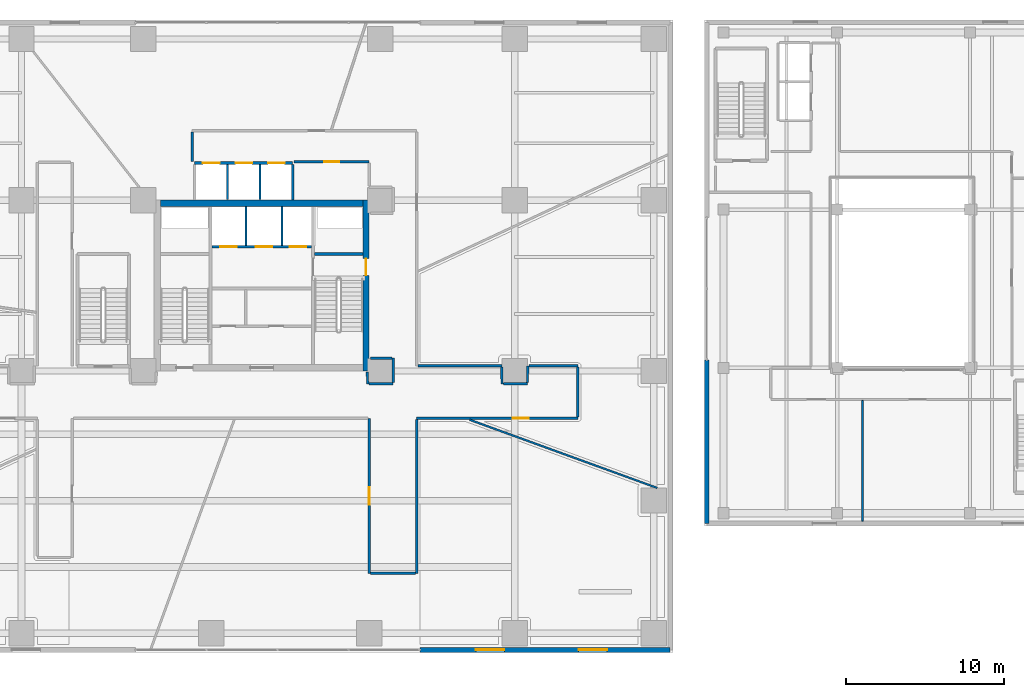
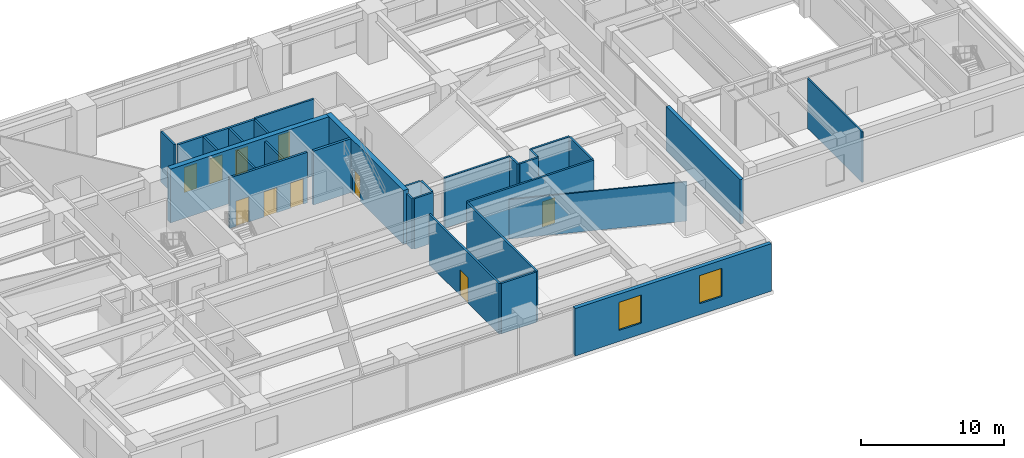
# One storey, part 18 of 25: 30 walls, 10 doors, 2 windows, 12 openings.
"""IFC4 building model written with IfcOpenShell, lengths in metres."""

from ifc_helpers import new_model, si_unit, direction, frame, frame_2d, origin, place, context, subcontext, project, spatial, rectangle, extrude, source, transform, mapped, material, layer, layer_set, type_object, type_shapes, element, fill, save


model = new_model("IFC4")

# Units and contexts
model_context = context("Model", 3, precision=1e-05, world=origin(), true_north=direction((0.0, 1.0)))
body_context = subcontext(model_context, "Body", "Model", "MODEL_VIEW")
ifc_project = project(units=[si_unit("LENGTHUNIT", "METRE"), si_unit("AREAUNIT", "SQUARE_METRE"), si_unit("VOLUMEUNIT", "CUBIC_METRE"), si_unit("PLANEANGLEUNIT", "RADIAN"), si_unit("MASSUNIT", "GRAM", prefix="KILO")], contexts=[model_context])

# Site, building, storey
site_placement = place(None, origin())
site = spatial("IfcSite", under=ifc_project, at=site_placement, CompositionType="ELEMENT")
building_placement = place(site_placement, origin())
building = spatial("IfcBuilding", under=site, at=building_placement, Name="Talar Marvaseh", CompositionType="ELEMENT")
storey_placement = place(building_placement, frame((0.0, 0.0, 5.199951171875)))
storey = spatial("IfcBuildingStorey", under=building, at=storey_placement, Name="L01", CompositionType="ELEMENT", Elevation=5.199951171875)

# Wall, openings, windows
ifc_material_1 = material(Name="Precast concrete C45/55", Category="concrete")
ifc_layer_1 = layer(ifc_material_1, 0.31005859375)
ifc_layer_set_1 = layer_set([ifc_layer_1], Name="Precast concrete C45/55")
wall_type_1 = type_object("IfcWallType", Name="Architectural Precast Limestone Podium Facade Wall 310", PredefinedType="SOLIDWALL", material=ifc_layer_set_1)
wall_1_placement = place(storey_placement, frame((51.840087890625, 8.159912109375, 0.0), z_axis=(0.0, 0.0, 1.0), x_axis=(-1.0, 0.0, 0.0)))
wall_1 = element("IfcWall", 1, at=wall_1_placement, inside=storey, type_object=wall_type_1, Name="L01 Podium South-East Facade Wall", PredefinedType="SOLIDWALL", context=body_context, shape_type="SweptSolid", body=[
    extrude(rectangle(XDim=15.840087890625, YDim=0.31005859375, at=frame_2d((7.919921875, 0.0))), origin(), (0.0, 0.0, 1.0), 4.050048828125),
])
opening_1_placement = place(wall_1_placement, frame((4.0, 0.0, 0.949951171875)))
opening_1 = element("IfcOpeningElement", 2, at=opening_1_placement, cuts=wall_1, Name="Opening WN-POD18", PredefinedType="OPENING", context=body_context, shape_type="SweptSolid", body=[
    extrude(rectangle(XDim=1.800048828125, YDim=2.39990234375, at=frame_2d((0.89990234375, 1.199951171875))), frame((0.0, 0.1650390625, 0.0), z_axis=(0.0, -1.0, 0.0), x_axis=(1.0, 0.0, 0.0)), (0.0, 0.0, 1.0), 0.330078125),
])
opening_2_placement = place(wall_1_placement, frame((10.5, 0.0, 0.949951171875)))
opening_2 = element("IfcOpeningElement", 3, at=opening_2_placement, cuts=wall_1, Name="Opening WN-POD18", PredefinedType="OPENING", context=body_context, shape_type="SweptSolid", body=[
    extrude(rectangle(XDim=1.800048828125, YDim=2.39990234375, at=frame_2d((0.89990234375, 1.199951171875))), frame((0.0, 0.1650390625, 0.0), z_axis=(0.0, -1.0, 0.0), x_axis=(1.0, 0.0, 0.0)), (0.0, 0.0, 1.0), 0.330078125),
])
ifc_material_2 = material(Name="Laminated Low-E Solar Glass", Category="glass")
window_type = type_object("IfcWindowType", Name="Podium Recessed Punched Solar Window 1800x2400", PartitioningType="SINGLE_PANEL", PredefinedType="WINDOW", material=ifc_material_2)
shared_shape_1 = source(origin(), body_context, "Body", "SweptSolid", [
    extrude(rectangle(XDim=1.800048828125, YDim=2.39990234375, at=frame_2d((0.89990234375, 1.199951171875))), frame((0.0, 0.030029296875, 0.0), z_axis=(0.0, -1.0, 0.0), x_axis=(1.0, 0.0, 0.0)), (0.0, 0.0, 1.0), 0.06005859375),
])
type_shapes(window_type, [shared_shape_1])
window_1_placement = place(opening_1_placement, origin())
window_1 = element("IfcWindow", 4, at=window_1_placement, inside=storey, type_object=window_type, Name="L01 Podium Solar Window", OverallHeight=2.39990234375, OverallWidth=1.800048828125, PartitioningType="SINGLE_PANEL", PredefinedType="WINDOW", context=body_context, shape_type="MappedRepresentation", body=[
    mapped(shared_shape_1, transform((0.0, 0.0, 0.0), x_axis=(1.0, 0.0, 0.0), y_axis=(0.0, 1.0, 0.0), z_axis=(0.0, 0.0, 1.0), scale=1.0)),
])
fill(opening_1, window_1)
window_2_placement = place(opening_2_placement, origin())
window_2 = element("IfcWindow", 5, at=window_2_placement, inside=storey, type_object=window_type, Name="L01 Podium Solar Window", OverallHeight=2.39990234375, OverallWidth=1.800048828125, PartitioningType="SINGLE_PANEL", PredefinedType="WINDOW", context=body_context, shape_type="MappedRepresentation", body=[
    mapped(shared_shape_1, transform((0.0, 0.0, 0.0), x_axis=(1.0, 0.0, 0.0), y_axis=(0.0, 1.0, 0.0), z_axis=(0.0, 0.0, 1.0), scale=1.0)),
])
fill(opening_2, window_2)

# Wall, opening, door
ifc_material_3 = material(Name="Gypsum Board Partition Assembly")
ifc_layer_2 = layer(ifc_material_3, 0.155029296875)
ifc_layer_set_2 = layer_set([ifc_layer_2], Name="Gypsum Board Partition Assembly")
wall_type_2 = type_object("IfcWallType", Name="Corridor Fire-Rated Acoustic Partition 155", PredefinedType="PARTITIONING", material=ifc_layer_set_2)
wall_2_placement = place(storey_placement, frame((32.800048828125, 13.0, 0.0), z_axis=(0.0, 0.0, 1.0), x_axis=(0.0, 1.0, 0.0)))
wall_2 = element("IfcWall", 6, at=wall_2_placement, inside=storey, type_object=wall_type_2, Name="L01 Interior Partition Wall", PredefinedType="PARTITIONING", context=body_context, shape_type="SweptSolid", body=[
    extrude(rectangle(XDim=9.800048828125, YDim=0.155029296875, at=frame_2d((4.89990234375, 0.0))), origin(), (0.0, 0.0, 1.0), 4.300048828125),
])
opening_3_placement = place(wall_2_placement, frame((4.35009765625, 0.0, 0.0)))
opening_3 = element("IfcOpeningElement", 7, at=opening_3_placement, cuts=wall_2, Name="Opening DR-RM110", PredefinedType="OPENING", context=body_context, shape_type="SweptSolid", body=[
    extrude(rectangle(XDim=1.10009765625, YDim=2.199951171875, at=frame_2d((0.550048828125, 1.10009765625))), frame((0.0, 0.08740234375, 0.0), z_axis=(0.0, -1.0, 0.0), x_axis=(1.0, 0.0, 0.0)), (0.0, 0.0, 1.0), 0.175048828125),
])
ifc_material_4 = material(Name="Acoustic Engineered Oak Timber", Category="wood")
door_type_1 = type_object("IfcDoorType", Name="Assembly and Reading Hall Door 1100x2200", OperationType="NOTDEFINED", PredefinedType="DOOR", material=ifc_material_4)
shared_shape_2 = source(origin(), body_context, "Body", "SweptSolid", [
    extrude(rectangle(XDim=1.10009765625, YDim=2.199951171875, at=frame_2d((0.550048828125, 1.10009765625))), frame((0.0, 0.02490234375, 0.0), z_axis=(0.0, -1.0, 0.0), x_axis=(1.0, 0.0, 0.0)), (0.0, 0.0, 1.0), 0.050048828125),
])
type_shapes(door_type_1, [shared_shape_2])
door_1_placement = place(opening_3_placement, origin())
door_1 = element("IfcDoor", 8, at=door_1_placement, inside=storey, type_object=door_type_1, Name="L01 Temporary Exhibition Gallery Door", OperationType="SINGLE_SWING_RIGHT", OverallHeight=2.199951171875, OverallWidth=1.10009765625, PredefinedType="DOOR", context=body_context, shape_type="MappedRepresentation", body=[
    mapped(shared_shape_2, transform((0.0, 0.0, 0.0), x_axis=(1.0, 0.0, 0.0), y_axis=(0.0, 1.0, 0.0), z_axis=(0.0, 0.0, 1.0), scale=1.0)),
])
fill(opening_3, door_1)

wall_3_placement = place(storey_placement, frame((32.800048828125, 39.0400390625, 0.0), z_axis=(0.0, 0.0, 1.0), x_axis=(-1.0, 0.0, 0.0)))
wall_3 = element("IfcWall", 9, at=wall_3_placement, inside=storey, type_object=wall_type_2, Name="L01 Interior Partition Wall", PredefinedType="PARTITIONING", context=body_context, shape_type="SweptSolid", body=[
    extrude(rectangle(XDim=4.77001953125, YDim=0.155029296875, at=frame_2d((2.385009765625, 0.0))), origin(), (0.0, 0.0, 1.0), 4.300048828125),
])
opening_4_placement = place(wall_3_placement, frame((1.909912109375, 0.0, 0.0)))
opening_4 = element("IfcOpeningElement", 10, at=opening_4_placement, cuts=wall_3, Name="Opening DR-WC095", PredefinedType="OPENING", context=body_context, shape_type="SweptSolid", body=[
    extrude(rectangle(XDim=0.949951171875, YDim=2.14990234375, at=frame_2d((0.47509765625, 1.074951171875))), frame((0.0, 0.08740234375, 0.0), z_axis=(0.0, -1.0, 0.0), x_axis=(1.0, 0.0, 0.0)), (0.0, 0.0, 1.0), 0.175048828125),
])
door_type_2 = type_object("IfcDoorType", Name="Washroom and Service Room Door 950x2150", OperationType="NOTDEFINED", PredefinedType="DOOR", material=ifc_material_4)
shared_shape_3 = source(origin(), body_context, "Body", "SweptSolid", [
    extrude(rectangle(XDim=0.949951171875, YDim=2.14990234375, at=frame_2d((0.47509765625, 1.074951171875))), frame((0.0, 0.02490234375, 0.0), z_axis=(0.0, -1.0, 0.0), x_axis=(1.0, 0.0, 0.0)), (0.0, 0.0, 1.0), 0.050048828125),
])
type_shapes(door_type_2, [shared_shape_3])
door_2_placement = place(opening_4_placement, origin())
door_2 = element("IfcDoor", 11, at=door_2_placement, inside=storey, type_object=door_type_2, Name="L01 WC Public Washrooms Door", OperationType="SINGLE_SWING_LEFT", OverallHeight=2.14990234375, OverallWidth=0.949951171875, PredefinedType="DOOR", context=body_context, shape_type="MappedRepresentation", body=[
    mapped(shared_shape_3, transform((0.0, 0.0, 0.0), x_axis=(1.0, 0.0, 0.0), y_axis=(0.0, 1.0, 0.0), z_axis=(0.0, 0.0, 1.0), scale=1.0)),
])
fill(opening_4, door_2)

wall_4_placement = place(storey_placement, frame((46.0, 22.800048828125, 0.0), z_axis=(0.0, 0.0, 1.0), x_axis=(-1.0, 0.0, 0.0)))
wall_4 = element("IfcWall", 12, at=wall_4_placement, inside=storey, type_object=wall_type_2, Name="L01 Interior Partition Wall", PredefinedType="PARTITIONING", context=body_context, shape_type="SweptSolid", body=[
    extrude(rectangle(XDim=10.199951171875, YDim=0.155029296875, at=frame_2d((5.10009765625, 0.0))), origin(), (0.0, 0.0, 1.0), 4.300048828125),
])
opening_5_placement = place(wall_4_placement, frame((3.11328125, 0.0, 0.0)))
opening_5 = element("IfcOpeningElement", 13, at=opening_5_placement, cuts=wall_4, Name="Opening DR-RM100", PredefinedType="OPENING", context=body_context, shape_type="SweptSolid", body=[
    extrude(rectangle(XDim=1.0, YDim=2.14990234375, at=frame_2d((0.5, 1.074951171875))), frame((0.0, 0.08740234375, 0.0), z_axis=(0.0, -1.0, 0.0), x_axis=(1.0, 0.0, 0.0)), (0.0, 0.0, 1.0), 0.175048828125),
])
door_type_3 = type_object("IfcDoorType", Name="Corridor Fire-Rated Gallery Door 1000x2150", OperationType="NOTDEFINED", PredefinedType="DOOR", material=ifc_material_4)
shared_shape_4 = source(origin(), body_context, "Body", "SweptSolid", [
    extrude(rectangle(XDim=1.0, YDim=2.14990234375, at=frame_2d((0.5, 1.074951171875))), frame((0.0, 0.02490234375, 0.0), z_axis=(0.0, -1.0, 0.0), x_axis=(1.0, 0.0, 0.0)), (0.0, 0.0, 1.0), 0.050048828125),
])
type_shapes(door_type_3, [shared_shape_4])
door_3_placement = place(opening_5_placement, origin())
door_3 = element("IfcDoor", 14, at=door_3_placement, inside=storey, type_object=door_type_3, Name="L01 Public Orientation Theatre Door", OperationType="SINGLE_SWING_LEFT", OverallHeight=2.14990234375, OverallWidth=1.0, PredefinedType="DOOR", context=body_context, shape_type="MappedRepresentation", body=[
    mapped(shared_shape_4, transform((0.0, 0.0, 0.0), x_axis=(1.0, 0.0, 0.0), y_axis=(0.0, 1.0, 0.0), z_axis=(0.0, 0.0, 1.0), scale=1.0)),
])
fill(opening_5, door_3)

# Walls
wall_5_placement = place(storey_placement, frame((32.68505859375, 25.72998046875, 0.0), z_axis=(0.0, 0.0, 1.0), x_axis=(0.010511902743, -0.999944748424, 0.0)))
element("IfcWall", 15, at=wall_5_placement, inside=storey, type_object=wall_type_2, Name="L01 Interior Partition Wall", PredefinedType="PARTITIONING", context=body_context, shape_type="SweptSolid", body=[
    extrude(rectangle(XDim=0.7431640625, YDim=0.155029296875, at=frame_2d((0.37158203125, 0.0))), origin(), (0.0, 0.0, 1.0), 4.300048828125),
])
wall_6_placement = place(storey_placement, frame((32.7763671875, 24.987548828125, 0.0), z_axis=(0.0, 0.0, 1.0), x_axis=(0.999967255963, 0.008092404007, 0.0)))
element("IfcWall", 16, at=wall_6_placement, inside=storey, type_object=wall_type_2, Name="L01 Interior Partition Wall", PredefinedType="PARTITIONING", context=body_context, shape_type="SweptSolid", body=[
    extrude(rectangle(XDim=1.53857421875, YDim=0.155029296875, at=frame_2d((0.769287109375, 0.0))), origin(), (0.0, 0.0, 1.0), 4.300048828125),
])
wall_7_placement = place(storey_placement, frame((34.314697265625, 25.08349609375, 0.0), z_axis=(0.0, 0.0, 1.0), x_axis=(-0.002717815702, 0.999996306732, 0.0)))
element("IfcWall", 17, at=wall_7_placement, inside=storey, type_object=wall_type_2, Name="L01 Interior Partition Wall", PredefinedType="PARTITIONING", context=body_context, shape_type="SweptSolid", body=[
    extrude(rectangle(XDim=1.527099609375, YDim=0.155029296875, at=frame_2d((0.763671875, 0.0))), origin(), (0.0, 0.0, 1.0), 4.300048828125),
])
wall_8_placement = place(storey_placement, frame((34.22705078125, 26.61083984375, 0.0), z_axis=(0.0, 0.0, 1.0), x_axis=(-0.999995856473, 0.002878721429, 0.0)))
element("IfcWall", 18, at=wall_8_placement, inside=storey, type_object=wall_type_2, Name="L01 Interior Partition Wall", PredefinedType="PARTITIONING", context=body_context, shape_type="SweptSolid", body=[
    extrude(rectangle(XDim=1.35693359375, YDim=0.155029296875, at=frame_2d((0.678466796875, 0.0))), origin(), (0.0, 0.0, 1.0), 4.300048828125),
])
wall_9_placement = place(storey_placement, frame((21.60009765625, 39.0400390625, 0.0), z_axis=(0.0, 0.0, 1.0), x_axis=(0.0, 1.0, 0.0)))
element("IfcWall", 19, at=wall_9_placement, inside=storey, type_object=wall_type_2, Name="L01 Interior Partition Wall", PredefinedType="PARTITIONING", context=body_context, shape_type="SweptSolid", body=[
    extrude(rectangle(XDim=1.87646484375, YDim=0.155029296875, at=frame_2d((0.938232421875, 0.0))), origin(), (0.0, 0.0, 1.0), 4.300048828125),
])
wall_10_placement = place(storey_placement, frame((35.883544921875, 26.1201171875, 0.0), z_axis=(0.0, 0.0, 1.0), x_axis=(1.0, 0.0, 0.0)))
element("IfcWall", 20, at=wall_10_placement, inside=storey, type_object=wall_type_2, Name="L01 Interior Partition Wall", PredefinedType="PARTITIONING", context=body_context, shape_type="SweptSolid", body=[
    extrude(rectangle(XDim=5.301513671875, YDim=0.155029296875, at=frame_2d((2.65087890625, 0.0))), origin(), (0.0, 0.0, 1.0), 4.300048828125),
])
wall_11_placement = place(storey_placement, frame((41.18603515625, 26.03662109375, 0.0), z_axis=(0.0, 0.0, 1.0), x_axis=(0.013233110982, -0.999912438553, 0.0)))
element("IfcWall", 21, at=wall_11_placement, inside=storey, type_object=wall_type_2, Name="L01 Interior Partition Wall", PredefinedType="PARTITIONING", context=body_context, shape_type="SweptSolid", body=[
    extrude(rectangle(XDim=1.051513671875, YDim=0.155029296875, at=frame_2d((0.52587890625, 0.0))), origin(), (0.0, 0.0, 1.0), 4.300048828125),
])
wall_12_placement = place(storey_placement, frame((41.283447265625, 24.985107421875, 0.0), z_axis=(0.0, 0.0, 1.0), x_axis=(0.999998718362, 0.001601022604, 0.0)))
element("IfcWall", 22, at=wall_12_placement, inside=storey, type_object=wall_type_2, Name="L01 Interior Partition Wall", PredefinedType="PARTITIONING", context=body_context, shape_type="SweptSolid", body=[
    extrude(rectangle(XDim=1.52490234375, YDim=0.155029296875, at=frame_2d((0.762451171875, 0.0))), origin(), (0.0, 0.0, 1.0), 4.300048828125),
])
wall_13_placement = place(storey_placement, frame((42.808837890625, 25.071044921875, 0.0), z_axis=(0.0, 0.0, 1.0), x_axis=(0.005817914102, 0.999983075795, 0.0)))
element("IfcWall", 23, at=wall_13_placement, inside=storey, type_object=wall_type_2, Name="L01 Interior Partition Wall", PredefinedType="PARTITIONING", context=body_context, shape_type="SweptSolid", body=[
    extrude(rectangle(XDim=1.049072265625, YDim=0.155029296875, at=frame_2d((0.5244140625, 0.0))), origin(), (0.0, 0.0, 1.0), 4.300048828125),
])
wall_14_placement = place(storey_placement, frame((42.8984375, 26.1201171875, 0.0), z_axis=(0.0, 0.0, 1.0), x_axis=(1.0, 0.0, 0.0)))
element("IfcWall", 24, at=wall_14_placement, inside=storey, type_object=wall_type_2, Name="L01 Interior Partition Wall", PredefinedType="PARTITIONING", context=body_context, shape_type="SweptSolid", body=[
    extrude(rectangle(XDim=3.1015625, YDim=0.155029296875, at=frame_2d((1.55078125, 0.0))), origin(), (0.0, 0.0, 1.0), 4.300048828125),
])
wall_15_placement = place(storey_placement, frame((46.0, 26.03662109375, 0.0), z_axis=(0.0, 0.0, 1.0), x_axis=(0.0, -1.0, 0.0)))
element("IfcWall", 25, at=wall_15_placement, inside=storey, type_object=wall_type_2, Name="L01 Interior Partition Wall", PredefinedType="PARTITIONING", context=body_context, shape_type="SweptSolid", body=[
    extrude(rectangle(XDim=3.153076171875, YDim=0.155029296875, at=frame_2d((1.57666015625, 0.0))), origin(), (0.0, 0.0, 1.0), 4.300048828125),
])
wall_16_placement = place(storey_placement, frame((35.800048828125, 22.716552734375, 0.0), z_axis=(0.0, 0.0, 1.0), x_axis=(0.0, -1.0, 0.0)))
element("IfcWall", 26, at=wall_16_placement, inside=storey, type_object=wall_type_2, Name="L01 Interior Partition Wall", PredefinedType="PARTITIONING", context=body_context, shape_type="SweptSolid", body=[
    extrude(rectangle(XDim=9.716552734375, YDim=0.155029296875, at=frame_2d((4.8583984375, 0.0))), origin(), (0.0, 0.0, 1.0), 4.300048828125),
])
wall_17_placement = place(storey_placement, frame((35.716552734375, 13.0, 0.0), z_axis=(0.0, 0.0, 1.0), x_axis=(-1.0, 0.0, 0.0)))
element("IfcWall", 27, at=wall_17_placement, inside=storey, type_object=wall_type_2, Name="L01 Interior Partition Wall", PredefinedType="PARTITIONING", context=body_context, shape_type="SweptSolid", body=[
    extrude(rectangle(XDim=2.8330078125, YDim=0.155029296875, at=frame_2d((1.41650390625, 0.0))), origin(), (0.0, 0.0, 1.0), 4.300048828125),
])
ifc_layer_3 = layer(ifc_material_3, 0.1201171875)
ifc_layer_set_3 = layer_set([ifc_layer_3], Name="Gypsum Board Partition Assembly")
wall_type_3 = type_object("IfcWallType", Name="Demountable Studio Room Partition 120", PredefinedType="PARTITIONING", material=ifc_layer_set_3)
wall_18_placement = place(storey_placement, frame((39.1396484375, 22.716552734375, 0.0), z_axis=(0.0, 0.0, 1.0), x_axis=(0.939834599023, -0.341629809119, 0.0)))
element("IfcWall", 28, at=wall_18_placement, inside=storey, type_object=wall_type_3, Name="L01 Interior Partition Wall", PredefinedType="PARTITIONING", context=body_context, shape_type="SweptSolid", body=[
    extrude(rectangle(XDim=12.635498046875, YDim=0.1201171875, at=frame_2d((6.31787109375, 0.0))), origin(), (0.0, 0.0, 1.0), 3.363037109375),
])
wall_19_placement = place(storey_placement, frame((64.0, 23.93505859375, 0.0), z_axis=(0.0, 0.0, 1.0), x_axis=(0.0, -1.0, 0.0)))
element("IfcWall", 29, at=wall_19_placement, inside=storey, type_object=wall_type_3, Name="L01 Interior Partition Wall", PredefinedType="PARTITIONING", context=body_context, shape_type="SweptSolid", body=[
    extrude(rectangle(XDim=7.635009765625, YDim=0.1201171875, at=frame_2d((3.8173828125, 0.0))), origin(), (0.0, 0.0, 1.0), 4.300048828125),
])
ifc_layer_4 = layer(ifc_material_1, 0.14501953125)
ifc_layer_set_4 = layer_set([ifc_layer_4], Name="Precast concrete C45/55")
wall_type_4 = type_object("IfcWallType", Name="Fire-Rated Lift Divider Wall 145", PredefinedType="SOLIDWALL", material=ifc_layer_set_4)
for number, where, z_axis, x_axis, name in (
    (30, (25.0, 33.743408203125, 0.0), (0.0, 0.0, 1.0), (0.0, 1.0, 0.0), "L01 FFL-1/FFL-2 Divider"),
    (31, (27.280029296875, 33.743408203125, 0.0), (0.0, 0.0, 1.0), (0.0, 1.0, 0.0), "L01 FFL-2/SVL-1 Divider"),
):
    element("IfcWall", number, at=place(storey_placement, frame(where, z_axis=z_axis, x_axis=x_axis)), inside=storey, type_object=wall_type_4, Name=name, PredefinedType="SOLIDWALL", context=body_context, shape_type="SweptSolid", body=[
        extrude(rectangle(XDim=2.45654296875, YDim=0.14501953125, at=frame_2d((1.228271484375, 0.0))), origin(), (0.0, 0.0, 1.0), 4.300048828125),
    ])
wall_20_placement = place(storey_placement, frame((27.9599609375, 36.60009765625, 0.0), z_axis=(0.0, 0.0, 1.0), x_axis=(0.0, 1.0, 0.0)))
element("IfcWall", 32, at=wall_20_placement, inside=storey, type_object=wall_type_4, Name="L01 Low-Rise Bank East Wall", PredefinedType="SOLIDWALL", context=body_context, shape_type="SweptSolid", body=[
    extrude(rectangle(XDim=2.266357421875, YDim=0.14501953125, at=frame_2d((1.13330078125, 0.0))), origin(), (0.0, 0.0, 1.0), 4.300048828125),
])
for number, where, z_axis, x_axis, name in (
    (33, (23.830078125, 36.659912109375, 0.0), (0.0, 0.0, 1.0), (0.0, 1.0, 0.0), "L01 PL-L1/PL-L2 Divider"),
    (34, (25.889892578125, 36.659912109375, 0.0), (0.0, 0.0, 1.0), (0.0, 1.0, 0.0), "L01 PL-L2/PL-L3 Divider"),
):
    element("IfcWall", number, at=place(storey_placement, frame(where, z_axis=z_axis, x_axis=x_axis)), inside=storey, type_object=wall_type_4, Name=name, PredefinedType="SOLIDWALL", context=body_context, shape_type="SweptSolid", body=[
        extrude(rectangle(XDim=2.20654296875, YDim=0.14501953125, at=frame_2d((1.103271484375, 0.0))), origin(), (0.0, 0.0, 1.0), 4.300048828125),
    ])

# Wall, openings, doors
ifc_layer_5 = layer(ifc_material_1, 0.175048828125)
ifc_layer_set_5 = layer_set([ifc_layer_5], Name="Precast concrete C45/55")
wall_type_5 = type_object("IfcWallType", Name="Fire-Rated Lift Hoistway Enclosure Wall 175", PredefinedType="SOLIDWALL", material=ifc_layer_set_5)
wall_21_placement = place(storey_placement, frame((22.860107421875, 33.64990234375, 0.0), z_axis=(0.0, 0.0, 1.0), x_axis=(1.0, 0.0, 0.0)))
wall_21 = element("IfcWall", 35, at=wall_21_placement, inside=storey, type_object=wall_type_5, Name="L01 Firefighting and Service Lift Front Wall", PredefinedType="SOLIDWALL", context=body_context, shape_type="SweptSolid", body=[
    extrude(rectangle(XDim=6.27978515625, YDim=0.175048828125, at=frame_2d((3.139892578125, 0.0))), origin(), (0.0, 0.0, 1.0), 4.300048828125),
])
opening_6_placement = place(wall_21_placement, frame((0.5, 0.0, 0.0)))
opening_6 = element("IfcOpeningElement", 36, at=opening_6_placement, cuts=wall_21, Name="Opening LD-FF1", PredefinedType="OPENING", context=body_context, shape_type="SweptSolid", body=[
    extrude(rectangle(XDim=1.050048828125, YDim=2.14990234375, at=frame_2d((0.52490234375, 1.074951171875))), frame((0.0, 0.09765625, 0.0), z_axis=(0.0, -1.0, 0.0), x_axis=(1.0, 0.0, 0.0)), (0.0, 0.0, 1.0), 0.195068359375),
])
opening_7_placement = place(wall_21_placement, frame((2.760009765625, 0.0, 0.0)))
opening_7 = element("IfcOpeningElement", 37, at=opening_7_placement, cuts=wall_21, Name="Opening LD-FF2", PredefinedType="OPENING", context=body_context, shape_type="SweptSolid", body=[
    extrude(rectangle(XDim=1.050048828125, YDim=2.14990234375, at=frame_2d((0.52490234375, 1.074951171875))), frame((0.0, 0.09765625, 0.0), z_axis=(0.0, -1.0, 0.0), x_axis=(1.0, 0.0, 0.0)), (0.0, 0.0, 1.0), 0.195068359375),
])
opening_8_placement = place(wall_21_placement, frame((4.89990234375, 0.0, 0.0)))
opening_8 = element("IfcOpeningElement", 38, at=opening_8_placement, cuts=wall_21, Name="Opening LD-SV1", PredefinedType="OPENING", context=body_context, shape_type="SweptSolid", body=[
    extrude(rectangle(XDim=1.050048828125, YDim=2.14990234375, at=frame_2d((0.52490234375, 1.074951171875))), frame((0.0, 0.09765625, 0.0), z_axis=(0.0, -1.0, 0.0), x_axis=(1.0, 0.0, 0.0)), (0.0, 0.0, 1.0), 0.195068359375),
])
ifc_material_5 = material(Name="Stainless Steel Grade 316", Category="steel")
door_type_4 = type_object("IfcDoorType", Name="Automatic Sliding Lift Landing Door 1050x2150", OperationType="NOTDEFINED", PredefinedType="DOOR", material=ifc_material_5)
shared_shape_5 = source(origin(), body_context, "Body", "SweptSolid", [
    extrude(rectangle(XDim=1.050048828125, YDim=2.14990234375, at=frame_2d((0.52490234375, 1.074951171875))), frame((0.0, 0.02490234375, 0.0), z_axis=(0.0, -1.0, 0.0), x_axis=(1.0, 0.0, 0.0)), (0.0, 0.0, 1.0), 0.050048828125),
])
type_shapes(door_type_4, [shared_shape_5])
door_4_placement = place(opening_6_placement, origin())
door_4 = element("IfcDoor", 39, at=door_4_placement, inside=storey, type_object=door_type_4, Name="L01 Lift FFL-1 Sliding Landing Door", OperationType="SLIDING_TO_LEFT", OverallHeight=2.14990234375, OverallWidth=1.050048828125, PredefinedType="DOOR", context=body_context, shape_type="MappedRepresentation", body=[
    mapped(shared_shape_5, transform((0.0, 0.0, 0.0), x_axis=(1.0, 0.0, 0.0), y_axis=(0.0, 1.0, 0.0), z_axis=(0.0, 0.0, 1.0), scale=1.0)),
])
fill(opening_6, door_4)
door_5_placement = place(opening_7_placement, origin())
door_5 = element("IfcDoor", 40, at=door_5_placement, inside=storey, type_object=door_type_4, Name="L01 Lift FFL-2 Sliding Landing Door", OperationType="SLIDING_TO_LEFT", OverallHeight=2.14990234375, OverallWidth=1.050048828125, PredefinedType="DOOR", context=body_context, shape_type="MappedRepresentation", body=[
    mapped(shared_shape_5, transform((0.0, 0.0, 0.0), x_axis=(1.0, 0.0, 0.0), y_axis=(0.0, 1.0, 0.0), z_axis=(0.0, 0.0, 1.0), scale=1.0)),
])
fill(opening_7, door_5)
door_6_placement = place(opening_8_placement, origin())
door_6 = element("IfcDoor", 41, at=door_6_placement, inside=storey, type_object=door_type_4, Name="L01 Lift SVL-1 Sliding Landing Door", OperationType="SLIDING_TO_LEFT", OverallHeight=2.14990234375, OverallWidth=1.050048828125, PredefinedType="DOOR", context=body_context, shape_type="MappedRepresentation", body=[
    mapped(shared_shape_5, transform((0.0, 0.0, 0.0), x_axis=(1.0, 0.0, 0.0), y_axis=(0.0, 1.0, 0.0), z_axis=(0.0, 0.0, 1.0), scale=1.0)),
])
fill(opening_8, door_6)

wall_22_placement = place(storey_placement, frame((21.760009765625, 38.9599609375, 0.0), z_axis=(0.0, 0.0, 1.0), x_axis=(1.0, 0.0, 0.0)))
wall_22 = element("IfcWall", 42, at=wall_22_placement, inside=storey, type_object=wall_type_5, Name="L01 Low-Rise Lift Bank Front Wall", PredefinedType="SOLIDWALL", context=body_context, shape_type="SweptSolid", body=[
    extrude(rectangle(XDim=6.199951171875, YDim=0.175048828125, at=frame_2d((3.10009765625, 0.0))), origin(), (0.0, 0.0, 1.0), 4.300048828125),
])
opening_9_placement = place(wall_22_placement, frame((0.52001953125, 0.0, 0.0)))
opening_9 = element("IfcOpeningElement", 43, at=opening_9_placement, cuts=wall_22, Name="Opening LD-PLL1", PredefinedType="OPENING", context=body_context, shape_type="SweptSolid", body=[
    extrude(rectangle(XDim=1.050048828125, YDim=2.14990234375, at=frame_2d((0.52490234375, 1.074951171875))), frame((0.0, 0.09765625, 0.0), z_axis=(0.0, -1.0, 0.0), x_axis=(1.0, 0.0, 0.0)), (0.0, 0.0, 1.0), 0.195068359375),
])
opening_10_placement = place(wall_22_placement, frame((2.580078125, 0.0, 0.0)))
opening_10 = element("IfcOpeningElement", 44, at=opening_10_placement, cuts=wall_22, Name="Opening LD-PLL2", PredefinedType="OPENING", context=body_context, shape_type="SweptSolid", body=[
    extrude(rectangle(XDim=1.050048828125, YDim=2.14990234375, at=frame_2d((0.52490234375, 1.074951171875))), frame((0.0, 0.09765625, 0.0), z_axis=(0.0, -1.0, 0.0), x_axis=(1.0, 0.0, 0.0)), (0.0, 0.0, 1.0), 0.195068359375),
])
opening_11_placement = place(wall_22_placement, frame((4.639892578125, 0.0, 0.0)))
opening_11 = element("IfcOpeningElement", 45, at=opening_11_placement, cuts=wall_22, Name="Opening LD-PLL3", PredefinedType="OPENING", context=body_context, shape_type="SweptSolid", body=[
    extrude(rectangle(XDim=1.050048828125, YDim=2.14990234375, at=frame_2d((0.52490234375, 1.074951171875))), frame((0.0, 0.09765625, 0.0), z_axis=(0.0, -1.0, 0.0), x_axis=(1.0, 0.0, 0.0)), (0.0, 0.0, 1.0), 0.195068359375),
])
door_7_placement = place(opening_9_placement, origin())
door_7 = element("IfcDoor", 46, at=door_7_placement, inside=storey, type_object=door_type_4, Name="L01 Lift PL-L1 Sliding Landing Door", OperationType="SLIDING_TO_LEFT", OverallHeight=2.14990234375, OverallWidth=1.050048828125, PredefinedType="DOOR", context=body_context, shape_type="MappedRepresentation", body=[
    mapped(shared_shape_5, transform((0.0, 0.0, 0.0), x_axis=(1.0, 0.0, 0.0), y_axis=(0.0, 1.0, 0.0), z_axis=(0.0, 0.0, 1.0), scale=1.0)),
])
fill(opening_9, door_7)
door_8_placement = place(opening_10_placement, origin())
door_8 = element("IfcDoor", 47, at=door_8_placement, inside=storey, type_object=door_type_4, Name="L01 Lift PL-L2 Sliding Landing Door", OperationType="SLIDING_TO_LEFT", OverallHeight=2.14990234375, OverallWidth=1.050048828125, PredefinedType="DOOR", context=body_context, shape_type="MappedRepresentation", body=[
    mapped(shared_shape_5, transform((0.0, 0.0, 0.0), x_axis=(1.0, 0.0, 0.0), y_axis=(0.0, 1.0, 0.0), z_axis=(0.0, 0.0, 1.0), scale=1.0)),
])
fill(opening_10, door_8)
door_9_placement = place(opening_11_placement, origin())
door_9 = element("IfcDoor", 48, at=door_9_placement, inside=storey, type_object=door_type_4, Name="L01 Lift PL-L3 Sliding Landing Door", OperationType="SLIDING_TO_LEFT", OverallHeight=2.14990234375, OverallWidth=1.050048828125, PredefinedType="DOOR", context=body_context, shape_type="MappedRepresentation", body=[
    mapped(shared_shape_5, transform((0.0, 0.0, 0.0), x_axis=(1.0, 0.0, 0.0), y_axis=(0.0, 1.0, 0.0), z_axis=(0.0, 0.0, 1.0), scale=1.0)),
])
fill(opening_11, door_9)

# Wall, opening, door
ifc_material_6 = material(Name="Concrete C70/85", Category="concrete")
ifc_layer_6 = layer(ifc_material_6, 0.39990234375)
ifc_layer_set_6 = layer_set([ifc_layer_6], Name="Concrete C70/85")
wall_type_6 = type_object("IfcWallType", Name="Lower Core Reinforced Concrete Shear Wall 400", PredefinedType="SHEAR", material=ifc_layer_set_6)
wall_23_placement = place(storey_placement, frame((32.60009765625, 36.60009765625, 0.0), z_axis=(0.0, 0.0, 1.0), x_axis=(0.0, -1.0, 0.0)))
wall_23 = element("IfcWall", 49, at=wall_23_placement, inside=storey, type_object=wall_type_6, Name="L01 East Core Shear Wall", PredefinedType="SHEAR", context=body_context, shape_type="SweptSolid", body=[
    extrude(rectangle(XDim=10.800048828125, YDim=0.39990234375, at=frame_2d((5.39990234375, 0.0))), origin(), (0.0, 0.0, 1.0), 4.60009765625),
])
opening_12_placement = place(wall_23_placement, frame((3.699951171875, 0.0, 0.0)))
opening_12 = element("IfcOpeningElement", 50, at=opening_12_placement, cuts=wall_23, Name="Opening DR-ST105", PredefinedType="OPENING", context=body_context, shape_type="SweptSolid", body=[
    extrude(rectangle(XDim=1.050048828125, YDim=2.14990234375, at=frame_2d((0.52490234375, 1.074951171875))), frame((0.0, 0.2099609375, 0.0), z_axis=(0.0, -1.0, 0.0), x_axis=(1.0, 0.0, 0.0)), (0.0, 0.0, 1.0), 0.419921875),
])
ifc_material_7 = material(Name="Fire-Rated Steel Door Leaf", Category="steel")
door_type_5 = type_object("IfcDoorType", Name="Protected Exit Stair Fire Door 1050x2150", OperationType="NOTDEFINED", PredefinedType="DOOR", material=ifc_material_7)
shared_shape_6 = source(origin(), body_context, "Body", "SweptSolid", [
    extrude(rectangle(XDim=1.050048828125, YDim=2.14990234375, at=frame_2d((0.52490234375, 1.074951171875))), frame((0.0, 0.02490234375, 0.0), z_axis=(0.0, -1.0, 0.0), x_axis=(1.0, 0.0, 0.0)), (0.0, 0.0, 1.0), 0.050048828125),
])
type_shapes(door_type_5, [shared_shape_6])
door_10_placement = place(opening_12_placement, origin())
door_10 = element("IfcDoor", 51, at=door_10_placement, inside=storey, type_object=door_type_5, Name="L01 Stair ST-2 Corridor Exit Door", OperationType="SINGLE_SWING_LEFT", OverallHeight=2.14990234375, OverallWidth=1.050048828125, PredefinedType="DOOR", context=body_context, shape_type="MappedRepresentation", body=[
    mapped(shared_shape_6, transform((0.0, 0.0, 0.0), x_axis=(1.0, 0.0, 0.0), y_axis=(0.0, 1.0, 0.0), z_axis=(0.0, 0.0, 1.0), scale=1.0)),
])
fill(opening_12, door_10)

# Walls
wall_24_placement = place(storey_placement, frame((19.60009765625, 36.39990234375, 0.0), z_axis=(0.0, 0.0, 1.0), x_axis=(1.0, 0.0, 0.0)))
element("IfcWall", 52, at=wall_24_placement, inside=storey, type_object=wall_type_6, Name="L01 North Core Shear Wall", PredefinedType="SHEAR", context=body_context, shape_type="SweptSolid", body=[
    extrude(rectangle(XDim=12.7998046875, YDim=0.39990234375, at=frame_2d((6.39990234375, 0.0))), origin(), (0.0, 0.0, 1.0), 4.60009765625),
])
ifc_layer_7 = layer(ifc_material_1, 0.2900390625)
ifc_layer_set_7 = layer_set([ifc_layer_7], Name="Precast concrete C45/55")
wall_type_7 = type_object("IfcWallType", Name="Market Hall Precast Limestone Bazaar Wall 290", PredefinedType="SOLIDWALL", material=ifc_layer_set_7)
wall_25_placement = place(storey_placement, frame((54.14990234375, 16.14990234375, 0.0), z_axis=(0.0, 0.0, 1.0), x_axis=(0.0, 1.0, 0.0)))
element("IfcWall", 53, at=wall_25_placement, inside=storey, type_object=wall_type_7, Name="L01 Market Hall West-South Wall", PredefinedType="SOLIDWALL", context=body_context, shape_type="SweptSolid", body=[
    extrude(rectangle(XDim=10.35009765625, YDim=0.2900390625, at=frame_2d((5.175048828125, 0.0))), origin(), (0.0, 0.0, 1.0), 3.800048828125),
])
ifc_material_8 = material(Name="Concrete C50/60", Category="concrete")
ifc_layer_8 = layer(ifc_material_8, 0.199951171875)
ifc_layer_set_8 = layer_set([ifc_layer_8], Name="Concrete C50/60")
wall_type_8 = type_object("IfcWallType", Name="Stair Shaft Structural Concrete Shear Wall 200", PredefinedType="SHEAR", material=ifc_layer_set_8)
wall_26_placement = place(storey_placement, frame((29.340087890625, 33.199951171875, 0.0), z_axis=(0.0, 0.0, 1.0), x_axis=(1.0, 0.0, 0.0)))
element("IfcWall", 54, at=wall_26_placement, inside=storey, type_object=wall_type_8, Name="L01 Stair ST-2 North Shear Wall", PredefinedType="SHEAR", context=body_context, shape_type="SweptSolid", body=[
    extrude(rectangle(XDim=3.059814453125, YDim=0.199951171875, at=frame_2d((1.52978515625, 0.0))), origin(), (0.0, 0.0, 1.0), 4.60009765625),
])

save(model, "model.ifc")
